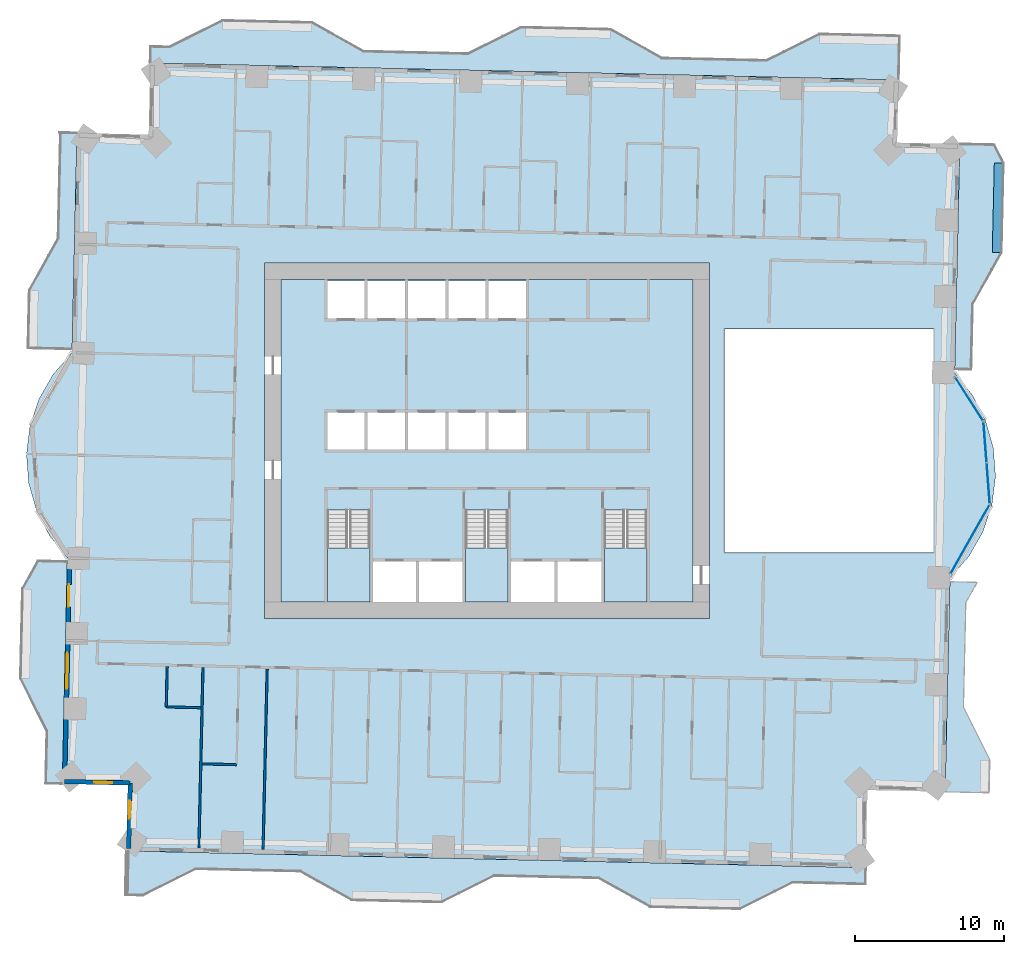
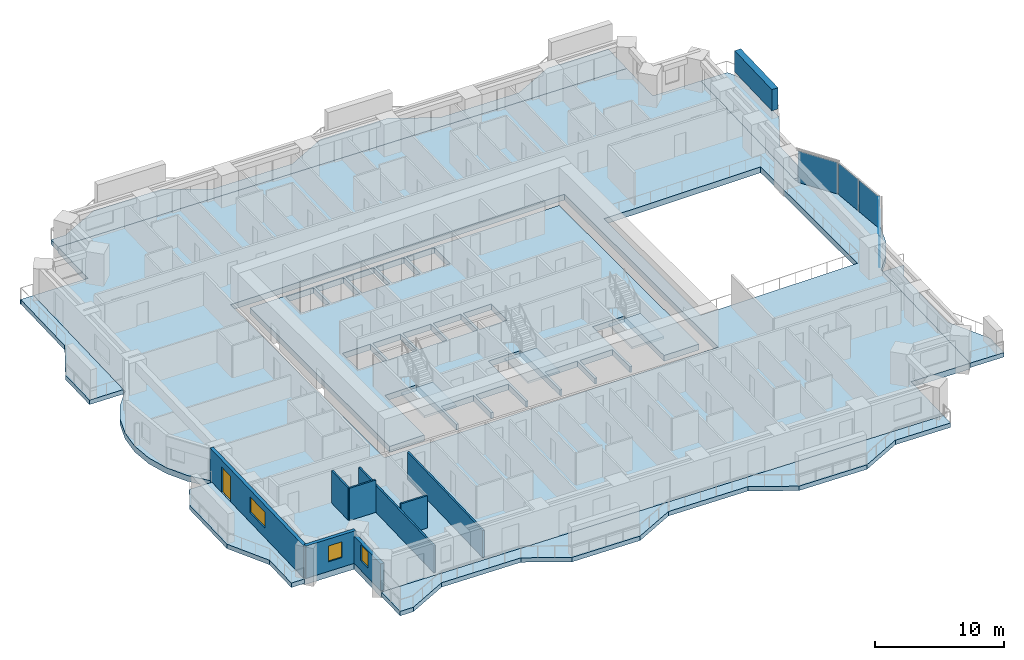
# One storey, part 6 of 18: 11 slabs, 8 walls, 4 plates, 3 windows, 1 door, 1 member, 4 openings, 6 elements without a shape of their own.
"""IFC4 building model written with IfcOpenShell, lengths in metres."""

from ifc_helpers import new_model, si_unit, direction, frame, frame_2d, origin, origin_2d, place, context, subcontext, project, spatial, polyline, rectangle, outline, extrude, material, layer, layer_set, material_profile, profile_set, type_object, element, fill, aggregate, save


model = new_model("IFC4")

# Units and contexts
model_context = context("Model", 3, precision=1e-05, world=origin(), true_north=direction((0.0, 1.0)))
body_context = subcontext(model_context, "Body", "Model", "MODEL_VIEW")
ifc_project = project(units=[si_unit("LENGTHUNIT", "METRE"), si_unit("AREAUNIT", "SQUARE_METRE"), si_unit("VOLUMEUNIT", "CUBIC_METRE"), si_unit("PLANEANGLEUNIT", "RADIAN"), si_unit("MASSUNIT", "GRAM", prefix="KILO")], contexts=[model_context])

# Site, building, storey
site_placement = place(None, origin())
site = spatial("IfcSite", under=ifc_project, at=site_placement, CompositionType="ELEMENT")
building_placement = place(site_placement, origin())
building = spatial("IfcBuilding", under=site, at=building_placement, Name="Mangrove Gate Tower", CompositionType="ELEMENT")
storey_placement = place(building_placement, frame((0.0, 0.0, 56.699951171875)))
storey = spatial("IfcBuildingStorey", under=building, at=storey_placement, Name="L13", CompositionType="ELEMENT", Elevation=56.699951171875)

# Member
ifc_material_1 = material(Name="Planting on aluminium trellis", Category="aluminium")
ifc_material_profile = material_profile(ifc_material_1, rectangle(XDim=0.550048828125, YDim=2.0, at=origin_2d()))
ifc_profile_set = profile_set([ifc_material_profile], Name="Planting on aluminium trellis")
member_type = type_object("IfcMemberType", Name="Balcony greenery screen 550x2000", PredefinedType="USERDEFINED", material=ifc_profile_set)
member_placement = place(storey_placement, frame((34.114990234375, 12.615966796875, 1.800048828125), z_axis=(0.022665943652, 0.999743094499, 0.0), x_axis=(-0.999743094499, 0.022665943652, 0.0)))
element("IfcMember", 1, at=member_placement, inside=storey, type_object=member_type, Name="GREEN SCREEN L13 E1.1", ObjectType="PLANTING", PredefinedType="USERDEFINED", context=body_context, shape_type="SweptSolid", body=[
    extrude(rectangle(XDim=0.550048828125, YDim=2.0, at=origin_2d()), origin(), (0.0, 0.0, 1.0), 5.99951171875),
])

# Curtain wall, plate
ifc_material_2 = material(Name="Aluminium and glass curtain wall", Category="aluminium")
curtain_wall_type = type_object("IfcCurtainWallType", Name="Atrium garden-court glazing wall", PredefinedType="NOTDEFINED", material=ifc_material_2)
curtain_wall_1_placement = place(storey_placement, origin())
curtain_wall_1 = element("IfcCurtainWall", 2, at=curtain_wall_1_placement, inside=storey, type_object=curtain_wall_type, Name="Atrium garden-court glazing E1f1", PredefinedType="NOTDEFINED")
ifc_material_3 = material(Name="Laminated low-e glass", Category="glass")
ifc_layer_1 = layer(ifc_material_3, 0.031982421875)
ifc_layer_set_1 = layer_set([ifc_layer_1], Name="Atrium garden-court glazing panel 32")
plate_type = type_object("IfcPlateType", Name="Atrium garden-court glazing panel 32", PredefinedType="CURTAIN_PANEL", material=ifc_layer_set_1)
plate_1_placement = place(storey_placement, frame((32.34912109375, -6.600830078125, 0.0), z_axis=(0.0, 0.0, 1.0), x_axis=(0.492603686489, 0.870253760726, 0.0)))
plate_1 = element("IfcPlate", 3, at=plate_1_placement, type_object=plate_type, Name="CWA panel 1.1", PredefinedType="CURTAIN_PANEL", context=body_context, shape_type="SweptSolid", body=[
    extrude(rectangle(XDim=5.258544921875, YDim=0.031982421875, at=origin_2d()), origin(), (0.0, 0.0, 1.0), 2.97998046875),
])
aggregate(curtain_wall_1, [plate_1])

# Curtain wall, plates
curtain_wall_2_placement = place(storey_placement, origin())
curtain_wall_2 = element("IfcCurtainWall", 4, at=curtain_wall_2_placement, inside=storey, type_object=curtain_wall_type, Name="Atrium garden-court glazing E1f2", PredefinedType="NOTDEFINED")
plate_2_placement = place(storey_placement, frame((33.5703125, -2.84521484375, 0.0), z_axis=(0.0, 0.0, 1.0), x_axis=(-0.077023348212, 0.997029289354, 0.0)))
plate_2 = element("IfcPlate", 5, at=plate_2_placement, type_object=plate_type, Name="CWA panel 1.1", PredefinedType="CURTAIN_PANEL", context=body_context, shape_type="SweptSolid", body=[
    extrude(rectangle(XDim=2.681640625, YDim=0.031982421875, at=origin_2d()), origin(), (0.0, 0.0, 1.0), 2.97998046875),
])
plate_3_placement = place(storey_placement, frame((33.3583984375, -0.1015625, 0.0), z_axis=(0.0, 0.0, 1.0), x_axis=(-0.077023348212, 0.997029289354, 0.0)))
plate_3 = element("IfcPlate", 6, at=plate_3_placement, type_object=plate_type, Name="CWA panel 2.1", PredefinedType="CURTAIN_PANEL", context=body_context, shape_type="SweptSolid", body=[
    extrude(rectangle(XDim=2.681640625, YDim=0.031982421875, at=origin_2d()), origin(), (0.0, 0.0, 1.0), 2.97998046875),
])
aggregate(curtain_wall_2, [plate_2, plate_3])

# Curtain wall, plate
curtain_wall_3_placement = place(storey_placement, origin())
curtain_wall_3 = element("IfcCurtainWall", 7, at=curtain_wall_3_placement, inside=storey, type_object=curtain_wall_type, Name="Atrium garden-court glazing E1f3", PredefinedType="NOTDEFINED")
plate_4_placement = place(storey_placement, frame((32.284912109375, 2.806396484375, 0.0), z_axis=(0.0, 0.0, 1.0), x_axis=(-0.540524576597, 0.841328224948, 0.0)))
plate_4 = element("IfcPlate", 8, at=plate_4_placement, type_object=plate_type, Name="CWA panel 1.1", PredefinedType="CURTAIN_PANEL", context=body_context, shape_type="SweptSolid", body=[
    extrude(rectangle(XDim=3.42919921875, YDim=0.031982421875, at=origin_2d()), origin(), (0.0, 0.0, 1.0), 2.97998046875),
])
aggregate(curtain_wall_3, [plate_4])

# Slabs
ifc_material_4 = material(Name="Porcelain tile")
ifc_layer_2 = layer(ifc_material_4, 0.02001953125, Name="Tile finish")
ifc_material_5 = material(Name="Cement sand screed")
ifc_layer_3 = layer(ifc_material_5, 0.0400390625, Name="Screed laid to falls")
ifc_material_6 = material(Name="Bituminous waterproofing membrane")
ifc_layer_4 = layer(ifc_material_6, 0.00390625, Name="Waterproofing")
ifc_material_7 = material(Name="Concrete C40/50", Category="concrete")
ifc_layer_5 = layer(ifc_material_7, 0.340087890625, Name="Balcony structural slab")
ifc_material_8 = material(Name="Limestone", Category="masonry")
ifc_layer_6 = layer(ifc_material_8, 0.01611328125, Name="Soffit lining")
ifc_layer_set_2 = layer_set([ifc_layer_2, ifc_layer_3, ifc_layer_4, ifc_layer_5, ifc_layer_6], Name="Balcony slab 420 C40/50")
slab_type_1 = type_object("IfcSlabType", Name="Balcony slab 420 C40/50", PredefinedType="FLOOR", material=ifc_layer_set_2)
slab_1_placement = place(storey_placement, frame((0.0, 0.0, -0.419921875)))
element("IfcSlab", 9, at=slab_1_placement, inside=storey, type_object=slab_type_1, Name="BALCONY L13 E0", PredefinedType="FLOOR", context=body_context, shape_type="SweptSolid", body=[
    extrude(outline(polyline([(33.6689453125, -23.5830078125), (33.718994140625, -21.384033203125), (31.947998046875, -17.843017578125), (32.10693359375, -10.843994140625), (32.864990234375, -9.487060546875), (30.9990234375, -9.444091796875), (30.968017578125, -10.819091796875), (30.80908203125, -17.81689453125), (30.72900390625, -21.31591796875), (30.678955078125, -23.514892578125), (33.6689453125, -23.5830078125)])), origin(), (0.0, 0.0, 1.0), 0.419921875),
])
slab_2_placement = place(storey_placement, frame((0.0, 0.0, -0.419921875)))
element("IfcSlab", 10, at=slab_2_placement, inside=storey, type_object=slab_type_1, Name="BALCONY L13 E1", PredefinedType="FLOOR", context=body_context, shape_type="SweptSolid", body=[
    extrude(outline(polyline([(32.4619140625, 4.777099609375), (32.56103515625, 9.14990234375), (34.489990234375, 12.60693359375), (34.6259765625, 18.60595703125), (34.01904296875, 19.820068359375), (31.6640625, 19.873046875), (31.636962890625, 18.674072265625), (31.5009765625, 12.675048828125), (31.4208984375, 9.176025390625), (31.322021484375, 4.802978515625), (32.4619140625, 4.777099609375)])), origin(), (0.0, 0.0, 1.0), 0.419921875),
])
slab_3_placement = place(storey_placement, frame((0.0, 0.0, -0.419921875)))
element("IfcSlab", 11, at=slab_3_placement, inside=storey, type_object=slab_type_1, Name="BALCONY L13 N0", PredefinedType="FLOOR", context=body_context, shape_type="SweptSolid", body=[
    extrude(outline(polyline([(27.6279296875, 27.156982421875), (22.261962890625, 27.279052734375), (18.720947265625, 25.509033203125), (11.721923828125, 25.6669921875), (8.264892578125, 27.595947265625), (2.56689453125, 27.72607421875), (2.26708984375, 27.73193359375), (-1.27392578125, 25.962890625), (-8.27197265625, 26.12109375), (-11.72998046875, 28.050048828125), (-17.72802734375, 28.18603515625), (-21.26904296875, 26.4169921875), (-22.537109375, 26.445068359375), (-22.56298828125, 25.304931640625), (2.4990234375, 24.736083984375), (11.697021484375, 24.528076171875), (27.56005859375, 24.16796875), (27.6279296875, 27.156982421875)])), origin(), (0.0, 0.0, 1.0), 0.419921875),
])
slab_4_placement = place(storey_placement, frame((0.0, 0.0, -0.419921875)))
element("IfcSlab", 12, at=slab_4_placement, inside=storey, type_object=slab_type_1, Name="BALCONY L13 W0", PredefinedType="FLOOR", context=body_context, shape_type="SweptSolid", body=[
    extrude(outline(polyline([(-28.6630859375, 20.64208984375), (-28.612060546875, 20.541015625), (-28.77099609375, 13.54296875), (-30.699951171875, 10.0859375), (-30.7880859375, 6.2119140625), (-27.799072265625, 6.14404296875), (-27.7109375, 10.01806640625), (-27.631103515625, 13.51708984375), (-27.472900390625, 20.514892578125), (-27.469970703125, 20.614990234375), (-28.6630859375, 20.64208984375)])), origin(), (0.0, 0.0, 1.0), 0.419921875),
])
slab_5_placement = place(storey_placement, frame((0.0, 0.0, -0.419921875)))
element("IfcSlab", 13, at=slab_5_placement, inside=storey, type_object=slab_type_1, Name="BALCONY L13 W1", PredefinedType="FLOOR", context=body_context, shape_type="SweptSolid", body=[
    extrude(outline(polyline([(-30.12109375, -8.056884765625), (-31.154052734375, -9.908935546875), (-31.2900390625, -15.906982421875), (-29.52001953125, -19.448974609375), (-29.59912109375, -22.947998046875), (-28.4599609375, -22.97412109375), (-28.3798828125, -19.47412109375), (-28.301025390625, -15.97509765625), (-28.1650390625, -9.97705078125), (-28.1220703125, -8.10302734375), (-30.12109375, -8.056884765625)])), origin(), (0.0, 0.0, 1.0), 0.419921875),
])
slab_6_placement = place(storey_placement, frame((0.0, 0.0, -0.419921875)))
element("IfcSlab", 14, at=slab_6_placement, inside=storey, type_object=slab_type_1, Name="BALCONY L13 S0", PredefinedType="FLOOR", context=body_context, shape_type="SweptSolid", body=[
    extrude(outline(polyline([(-24.22802734375, -30.4609375), (-23.06103515625, -30.488037109375), (-19.52001953125, -28.718017578125), (-12.52099609375, -28.876953125), (-9.06396484375, -30.805908203125), (-3.06591796875, -30.94189453125), (0.47509765625, -29.172119140625), (0.574951171875, -29.174072265625), (7.47412109375, -29.330078125), (10.930908203125, -31.259033203125), (16.928955078125, -31.39501953125), (20.469970703125, -29.6259765625), (25.3369140625, -29.736083984375), (25.363037109375, -28.595947265625), (-24.159912109375, -27.471923828125), (-24.22802734375, -30.4609375)])), origin(), (0.0, 0.0, 1.0), 0.419921875),
])
ifc_material_9 = material(Name="Concrete C40/50", Category="concrete")
ifc_layer_7 = layer(ifc_material_9, 0.550048828125)
ifc_layer_set_3 = layer_set([ifc_layer_7], Name="Core floor slab 550 C40/50")
slab_type_2 = type_object("IfcSlabType", Name="Core floor slab 550 C40/50", PredefinedType="FLOOR", material=ifc_layer_set_3)
slab_7_placement = place(storey_placement, frame((0.0, 0.0, -0.550048828125)))
element("IfcSlab", 15, at=slab_7_placement, inside=storey, type_object=slab_type_2, Name="SLAB-L13-CORE-1", PredefinedType="FLOOR", context=body_context, shape_type="SweptSolid", body=[
    extrude(outline(polyline([(-13.800048828125, -10.800048828125), (-13.800048828125, 10.800048828125), (13.800048828125, 10.800048828125), (13.800048828125, -10.800048828125), (10.699951171875, -10.800048828125), (10.699951171875, -4.653076171875), (7.85009765625, -4.653076171875), (7.85009765625, -10.800048828125), (7.64990234375, -10.800048828125), (7.64990234375, -8.10009765625), (4.72509765625, -8.10009765625), (4.72509765625, -10.800048828125), (4.52490234375, -10.800048828125), (4.52490234375, -8.10009765625), (1.60009765625, -8.10009765625), (1.60009765625, -10.800048828125), (1.39990234375, -10.800048828125), (1.39990234375, -4.653076171875), (-1.449951171875, -4.653076171875), (-1.449951171875, -10.800048828125), (-1.64990234375, -10.800048828125), (-1.64990234375, -8.10009765625), (-4.550048828125, -8.10009765625), (-4.550048828125, -10.800048828125), (-4.75, -10.800048828125), (-4.75, -8.10009765625), (-7.64990234375, -8.10009765625), (-7.64990234375, -10.800048828125), (-7.85009765625, -10.800048828125), (-7.85009765625, -4.653076171875), (-10.699951171875, -4.653076171875), (-10.699951171875, -10.800048828125), (-13.800048828125, -10.800048828125)]), holes=[polyline([(-8.199951171875, -0.60009765625), (-8.199951171875, 1.89990234375), (-10.699951171875, 1.89990234375), (-10.699951171875, -0.60009765625), (-8.199951171875, -0.60009765625)]), polyline([(-5.5, -0.60009765625), (-5.5, 1.89990234375), (-8.0, 1.89990234375), (-8.0, -0.60009765625), (-5.5, -0.60009765625)]), polyline([(-2.800048828125, -0.60009765625), (-2.800048828125, 1.89990234375), (-5.300048828125, 1.89990234375), (-5.300048828125, -0.60009765625), (-2.800048828125, -0.60009765625)]), polyline([(-8.199951171875, 8.199951171875), (-8.199951171875, 10.699951171875), (-10.699951171875, 10.699951171875), (-10.699951171875, 8.199951171875), (-8.199951171875, 8.199951171875)]), polyline([(-5.5, 8.199951171875), (-5.5, 10.699951171875), (-8.0, 10.699951171875), (-8.0, 8.199951171875), (-5.5, 8.199951171875)]), polyline([(-2.800048828125, 8.199951171875), (-2.800048828125, 10.699951171875), (-5.300048828125, 10.699951171875), (-5.300048828125, 8.199951171875), (-2.800048828125, 8.199951171875)]), polyline([(-0.10009765625, -0.60009765625), (-0.10009765625, 1.89990234375), (-2.60009765625, 1.89990234375), (-2.60009765625, -0.60009765625), (-0.10009765625, -0.60009765625)]), polyline([(2.60009765625, -0.60009765625), (2.60009765625, 1.89990234375), (0.10009765625, 1.89990234375), (0.10009765625, -0.60009765625), (2.60009765625, -0.60009765625)]), polyline([(-2.60009765625, 8.199951171875), (-0.10009765625, 8.199951171875), (-0.10009765625, 10.699951171875), (-2.60009765625, 10.699951171875), (-2.60009765625, 8.199951171875)]), polyline([(0.10009765625, 8.199951171875), (2.60009765625, 8.199951171875), (2.60009765625, 10.699951171875), (0.10009765625, 10.699951171875), (0.10009765625, 8.199951171875)])]), origin(), (0.0, 0.0, 1.0), 0.550048828125),
])

# Stair, slab
ifc_material_10 = material(Name="Concrete C40/50", Category="concrete")
stair_type = type_object("IfcStairType", Name="Core stair 1350", PredefinedType="HALF_TURN_STAIR", material=ifc_material_10)
stair_1_placement = place(storey_placement, origin())
stair_1 = element("IfcStair", 16, at=stair_1_placement, inside=storey, type_object=stair_type, Name="L13 Stair 1", PredefinedType="HALF_TURN_STAIR")
ifc_material_11 = material(Name="Concrete C40/50", Category="concrete")
ifc_layer_8 = layer(ifc_material_11, 0.199951171875)
ifc_layer_set_4 = layer_set([ifc_layer_8], Name="Core stair landing 200")
slab_type_3 = type_object("IfcSlabType", Name="Core stair landing 200", PredefinedType="LANDING", material=ifc_layer_set_4)
slab_8_placement = place(storey_placement, frame((0.0, 0.0, 1.60009765625)))
slab_8 = element("IfcSlab", 17, at=slab_8_placement, type_object=slab_type_3, Name="ST1 landing 1", PredefinedType="LANDING", context=body_context, shape_type="SweptSolid", body=[
    extrude(outline(polyline([(-10.699951171875, -7.169921875), (-10.699951171875, -10.800048828125), (-7.85009765625, -10.800048828125), (-7.85009765625, -7.169921875), (-10.699951171875, -7.169921875)])), origin(), (0.0, 0.0, 1.0), 0.199951171875),
])
aggregate(stair_1, [slab_8])

stair_2_placement = place(storey_placement, origin())
stair_2 = element("IfcStair", 18, at=stair_2_placement, inside=storey, type_object=stair_type, Name="L13 Stair 2", PredefinedType="HALF_TURN_STAIR")
slab_9_placement = place(storey_placement, frame((0.0, 0.0, 1.60009765625)))
slab_9 = element("IfcSlab", 19, at=slab_9_placement, type_object=slab_type_3, Name="ST2 landing 1", PredefinedType="LANDING", context=body_context, shape_type="SweptSolid", body=[
    extrude(outline(polyline([(-1.449951171875, -7.169921875), (-1.449951171875, -10.800048828125), (1.39990234375, -10.800048828125), (1.39990234375, -7.169921875), (-1.449951171875, -7.169921875)])), origin(), (0.0, 0.0, 1.0), 0.199951171875),
])
aggregate(stair_2, [slab_9])

stair_3_placement = place(storey_placement, origin())
stair_3 = element("IfcStair", 20, at=stair_3_placement, inside=storey, type_object=stair_type, Name="L13 Stair 3", PredefinedType="HALF_TURN_STAIR")
slab_10_placement = place(storey_placement, frame((0.0, 0.0, 1.60009765625)))
slab_10 = element("IfcSlab", 21, at=slab_10_placement, type_object=slab_type_3, Name="ST3 landing 1", PredefinedType="LANDING", context=body_context, shape_type="SweptSolid", body=[
    extrude(outline(polyline([(7.85009765625, -7.169921875), (7.85009765625, -10.800048828125), (10.699951171875, -10.800048828125), (10.699951171875, -7.169921875), (7.85009765625, -7.169921875)])), origin(), (0.0, 0.0, 1.0), 0.199951171875),
])
aggregate(stair_3, [slab_10])

# Slab
ifc_material_12 = material(Name="Concrete C40/50", Category="concrete")
ifc_layer_9 = layer(ifc_material_12, 0.550048828125)
ifc_layer_set_5 = layer_set([ifc_layer_9], Name="Floor slab 550 C40/50")
slab_type_4 = type_object("IfcSlabType", Name="Floor slab 550 C40/50", PredefinedType="FLOOR", material=ifc_layer_set_5)
slab_11_placement = place(storey_placement, frame((0.0, 0.0, -0.550048828125)))
element("IfcSlab", 22, at=slab_11_placement, inside=storey, type_object=slab_type_4, Name="Floor slab L13", PredefinedType="FLOOR", context=body_context, shape_type="SweptSolid", body=[
    extrude(outline(polyline([(-24.160400390625, -27.47216796875), (25.36279296875, -28.595947265625), (25.480712890625, -23.3974609375), (30.679443359375, -23.515380859375), (31.00439453125, -9.1943359375), (32.267333984375, -7.7578125), (33.220458984375, -6.099365234375), (33.825927734375, -4.28515625), (34.0595703125, -2.38671875), (33.912353515625, -0.4794921875), (33.389892578125, 1.360595703125), (32.512939453125, 3.060302734375), (31.31640625, 4.552734375), (31.6640625, 19.87353515625), (27.465087890625, 19.96875), (27.560302734375, 24.167724609375), (-22.562744140625, 25.30517578125), (-22.671630859375, 20.50634765625), (-27.470458984375, 20.615234375), (-27.804443359375, 5.894287109375), (-29.0673828125, 4.457763671875), (-30.0205078125, 2.799560546875), (-30.6259765625, 0.985107421875), (-30.859619140625, -0.913330078125), (-30.71240234375, -2.820556640625), (-30.18994140625, -4.660400390625), (-29.31298828125, -6.3603515625), (-28.116455078125, -7.852783203125), (-28.45947265625, -22.9736328125), (-24.060546875, -23.0732421875), (-24.160400390625, -27.47216796875)]), holes=[polyline([(15.89990234375, 7.5), (29.889892578125, 7.5), (29.889892578125, -7.5), (15.89990234375, -7.5), (15.89990234375, 7.5)]), polyline([(-14.89990234375, -11.89990234375), (-14.89990234375, 11.89990234375), (14.89990234375, 11.89990234375), (14.89990234375, -11.89990234375), (-14.89990234375, -11.89990234375)])]), origin(), (0.0, 0.0, 1.0), 0.550048828125),
])

# Wall, openings, door, window
ifc_layer_10 = layer(ifc_material_8, 0.0400390625, Name="Limestone cladding")
ifc_material_13 = material(Name="Ventilated air gap")
ifc_layer_11 = layer(ifc_material_13, 0.0400390625, Name="Ventilated cavity")
ifc_material_14 = material(Name="Mineral wool insulation")
ifc_layer_12 = layer(ifc_material_14, 0.06005859375, Name="Insulation")
ifc_material_15 = material(Name="Breather membrane")
ifc_layer_13 = layer(ifc_material_15, 0.001953125, Name="Breather membrane")
ifc_material_16 = material(Name="Concrete C20/25 blockwork", Category="masonry")
ifc_layer_14 = layer(ifc_material_16, 0.14990234375, Name="Blockwork backing wall")
ifc_material_17 = material(Name="Gypsum plaster")
ifc_layer_15 = layer(ifc_material_17, 0.008056640625, Name="Internal plaster")
ifc_layer_set_6 = layer_set([ifc_layer_10, ifc_layer_11, ifc_layer_12, ifc_layer_13, ifc_layer_14, ifc_layer_15], Name="External wall 300 limestone cladding")
wall_type_1 = type_object("IfcWallType", Name="External wall 300 limestone cladding", PredefinedType="SOLIDWALL", material=ifc_layer_set_6)
wall_1_placement = place(storey_placement, frame((-27.965087890625, -7.802001953125, 0.0), z_axis=(0.0, 0.0, 1.0), x_axis=(-0.02267786199, -0.999742824218, 0.0)))
wall_1 = element("IfcWall", 23, at=wall_1_placement, inside=storey, type_object=wall_type_1, Name="WALL-L13-W10", PredefinedType="SOLIDWALL", context=body_context, shape_type="SweptSolid", body=[
    extrude(rectangle(XDim=15.02880859375, YDim=0.300048828125, at=frame_2d((7.514404296875, 0.0))), origin(), (0.0, 0.0, 1.0), 3.050048828125),
])
opening_1_placement = place(wall_1_placement, frame((1.825927734375, 0.0, 0.0)))
opening_1 = element("IfcOpeningElement", 24, at=opening_1_placement, cuts=wall_1, Name="Opening BD1", PredefinedType="OPENING", context=body_context, shape_type="SweptSolid", body=[
    extrude(rectangle(XDim=1.5, YDim=2.39990234375, at=frame_2d((0.75, 1.199951171875))), frame((0.0, 0.159912109375, 0.0), z_axis=(0.0, -1.0, 0.0), x_axis=(1.0, 0.0, 0.0)), (0.0, 0.0, 1.0), 0.320068359375),
])
opening_2_placement = place(wall_1_placement, frame((6.4169921875, 0.0, 0.89990234375)))
opening_2 = element("IfcOpeningElement", 25, at=opening_2_placement, cuts=wall_1, Name="Opening W2", PredefinedType="OPENING", context=body_context, shape_type="SweptSolid", body=[
    extrude(rectangle(XDim=2.39990234375, YDim=1.5, at=frame_2d((1.199951171875, 0.75))), frame((0.0, 0.159912109375, 0.0), z_axis=(0.0, -1.0, 0.0), x_axis=(1.0, 0.0, 0.0)), (0.0, 0.0, 1.0), 0.320068359375),
])
ifc_material_18 = material(Name="Aluminium frame with laminated clear glass", Category="aluminium")
door_type = type_object("IfcDoorType", Name="Balcony sliding door 1500x2400", OperationType="SLIDING_TO_LEFT", PredefinedType="DOOR", material=ifc_material_18)
door_placement = place(opening_1_placement, origin())
door = element("IfcDoor", 26, at=door_placement, inside=storey, type_object=door_type, Name="DOOR-L13-W10-1", OperationType="SLIDING_TO_LEFT", OverallHeight=2.39990234375, OverallWidth=1.5, PredefinedType="DOOR", context=body_context, shape_type="SweptSolid", body=[
    extrude(rectangle(XDim=1.5, YDim=2.39990234375, at=frame_2d((0.75, 1.199951171875))), frame((0.0, 0.02490234375, 0.0), z_axis=(0.0, -1.0, 0.0), x_axis=(1.0, 0.0, 0.0)), (0.0, 0.0, 1.0), 0.050048828125),
])
fill(opening_1, door)
ifc_material_19 = material(Name="Aluminium frame with double-glazed low-e glass", Category="aluminium")
window_type_1 = type_object("IfcWindowType", Name="Corner room window 2400x1500", PartitioningType="DOUBLE_PANEL_VERTICAL", PredefinedType="WINDOW", material=ifc_material_19)
window_1_placement = place(opening_2_placement, origin())
window_1 = element("IfcWindow", 27, at=window_1_placement, inside=storey, type_object=window_type_1, Name="WIN-L13-W10-2", OverallHeight=1.5, OverallWidth=2.39990234375, PartitioningType="DOUBLE_PANEL_VERTICAL", PredefinedType="WINDOW", context=body_context, shape_type="SweptSolid", body=[
    extrude(rectangle(XDim=2.39990234375, YDim=1.5, at=frame_2d((1.199951171875, 0.75))), frame((0.0, 0.030029296875, 0.0), z_axis=(0.0, -1.0, 0.0), x_axis=(1.0, 0.0, 0.0)), (0.0, 0.0, 1.0), 0.06005859375),
])
fill(opening_2, window_1)

# Wall, opening, window
wall_2_placement = place(storey_placement, frame((-28.305908203125, -22.826904296875, 0.0), z_axis=(0.0, 0.0, 1.0), x_axis=(0.999741204967, -0.022749133868, 0.0)))
wall_2 = element("IfcWall", 28, at=wall_2_placement, inside=storey, type_object=wall_type_1, Name="WALL-L13-S11", PredefinedType="SOLIDWALL", context=body_context, shape_type="SweptSolid", body=[
    extrude(rectangle(XDim=4.400146484375, YDim=0.300048828125, at=frame_2d((2.2001953125, 0.0))), origin(), (0.0, 0.0, 1.0), 3.050048828125),
])
opening_3_placement = place(wall_2_placement, frame((1.99609375, 0.0, 0.89990234375)))
opening_3 = element("IfcOpeningElement", 29, at=opening_3_placement, cuts=wall_2, Name="Opening W1", PredefinedType="OPENING", context=body_context, shape_type="SweptSolid", body=[
    extrude(rectangle(XDim=1.199951171875, YDim=1.5, at=frame_2d((0.60009765625, 0.75))), frame((0.0, 0.159912109375, 0.0), z_axis=(0.0, -1.0, 0.0), x_axis=(1.0, 0.0, 0.0)), (0.0, 0.0, 1.0), 0.320068359375),
])
ifc_material_20 = material(Name="Aluminium frame with double-glazed low-e glass", Category="aluminium")
window_type_2 = type_object("IfcWindowType", Name="Side lite 1200x1500", PartitioningType="SINGLE_PANEL", PredefinedType="WINDOW", material=ifc_material_20)
window_2_placement = place(opening_3_placement, origin())
window_2 = element("IfcWindow", 30, at=window_2_placement, inside=storey, type_object=window_type_2, Name="WIN-L13-S11-1", OverallHeight=1.5, OverallWidth=1.199951171875, PartitioningType="SINGLE_PANEL", PredefinedType="WINDOW", context=body_context, shape_type="SweptSolid", body=[
    extrude(rectangle(XDim=1.199951171875, YDim=1.5, at=frame_2d((0.60009765625, 0.75))), frame((0.0, 0.030029296875, 0.0), z_axis=(0.0, -1.0, 0.0), x_axis=(1.0, 0.0, 0.0)), (0.0, 0.0, 1.0), 0.06005859375),
])
fill(opening_3, window_2)

wall_3_placement = place(storey_placement, frame((-23.906982421875, -22.927001953125, 0.0), z_axis=(0.0, 0.0, 1.0), x_axis=(-0.022749133868, -0.999741204967, 0.0)))
wall_3 = element("IfcWall", 31, at=wall_3_placement, inside=storey, type_object=wall_type_1, Name="WALL-L13-W12", PredefinedType="SOLIDWALL", context=body_context, shape_type="SweptSolid", body=[
    extrude(rectangle(XDim=4.400146484375, YDim=0.300048828125, at=frame_2d((2.2001953125, 0.0))), origin(), (0.0, 0.0, 1.0), 2.550048828125),
])
opening_4_placement = place(wall_3_placement, frame((1.179931640625, 0.0, 0.89990234375)))
opening_4 = element("IfcOpeningElement", 32, at=opening_4_placement, cuts=wall_3, Name="Opening W1", PredefinedType="OPENING", context=body_context, shape_type="SweptSolid", body=[
    extrude(rectangle(XDim=1.199951171875, YDim=1.5, at=frame_2d((0.60009765625, 0.75))), frame((0.0, 0.159912109375, 0.0), z_axis=(0.0, -1.0, 0.0), x_axis=(1.0, 0.0, 0.0)), (0.0, 0.0, 1.0), 0.320068359375),
])
window_3_placement = place(opening_4_placement, origin())
window_3 = element("IfcWindow", 33, at=window_3_placement, inside=storey, type_object=window_type_2, Name="WIN-L13-W12-1", OverallHeight=1.5, OverallWidth=1.199951171875, PartitioningType="SINGLE_PANEL", PredefinedType="WINDOW", context=body_context, shape_type="SweptSolid", body=[
    extrude(rectangle(XDim=1.199951171875, YDim=1.5, at=frame_2d((0.60009765625, 0.75))), frame((0.0, 0.030029296875, 0.0), z_axis=(0.0, -1.0, 0.0), x_axis=(1.0, 0.0, 0.0)), (0.0, 0.0, 1.0), 0.06005859375),
])
fill(opening_4, window_3)

# Walls
ifc_material_21 = material(Name="Gypsum board on steel stud, EI 60", Category="steel")
ifc_layer_16 = layer(ifc_material_21, 0.14990234375)
ifc_layer_set_7 = layer_set([ifc_layer_16], Name="Party wall 150 EI 60")
wall_type_2 = type_object("IfcWallType", Name="Party wall 150 EI 60", PredefinedType="PARTITIONING", material=ifc_layer_set_7)
wall_4_placement = place(storey_placement, frame((-19.306884765625, -27.282958984375, 0.0), z_axis=(0.0, 0.0, 1.0), x_axis=(0.022717280737, 0.999741929278, 0.0)))
element("IfcWall", 34, at=wall_4_placement, inside=storey, type_object=wall_type_2, Name="WALL-L13-001", PredefinedType="PARTITIONING", context=body_context, shape_type="SweptSolid", body=[
    extrude(rectangle(XDim=12.10107421875, YDim=0.14990234375, at=frame_2d((6.050537109375, 0.0))), origin(), (0.0, 0.0, 1.0), 2.550048828125),
])
wall_5_placement = place(storey_placement, frame((-15.008056640625, -27.3798828125, 0.0), z_axis=(0.0, 0.0, 1.0), x_axis=(0.02273928012, 0.99974142914, 0.0)))
element("IfcWall", 35, at=wall_5_placement, inside=storey, type_object=wall_type_2, Name="WALL-L13-002", PredefinedType="PARTITIONING", context=body_context, shape_type="SweptSolid", body=[
    extrude(rectangle(XDim=12.10009765625, YDim=0.14990234375, at=frame_2d((6.050048828125, 0.0))), origin(), (0.0, 0.0, 1.0), 2.550048828125),
])
wall_6_placement = place(storey_placement, frame((-19.10205078125, -21.64501953125, 0.0), z_axis=(0.0, 0.0, 1.0), x_axis=(0.999740260747, -0.02279059109, 0.0)))
element("IfcWall", 36, at=wall_6_placement, inside=storey, type_object=wall_type_2, Name="WALL-L13-025", PredefinedType="PARTITIONING", context=body_context, shape_type="SweptSolid", body=[
    extrude(rectangle(XDim=2.324462890625, YDim=0.14990234375, at=frame_2d((1.162109375, 0.0))), origin(), (0.0, 0.0, 1.0), 3.050048828125),
])
wall_7_placement = place(storey_placement, frame((-21.492919921875, -17.830078125, 0.0), z_axis=(0.0, 0.0, 1.0), x_axis=(0.02260842146, 0.999744396973, 0.0)))
element("IfcWall", 37, at=wall_7_placement, inside=storey, type_object=wall_type_2, Name="WALL-L13-029", PredefinedType="PARTITIONING", context=body_context, shape_type="SweptSolid", body=[
    extrude(rectangle(XDim=2.69970703125, YDim=0.14990234375, at=frame_2d((1.349853515625, 0.0))), origin(), (0.0, 0.0, 1.0), 3.050048828125),
])
wall_8_placement = place(storey_placement, frame((-21.490966796875, -17.830078125, 0.0), z_axis=(0.0, 0.0, 1.0), x_axis=(0.999740260747, -0.02279059109, 0.0)))
element("IfcWall", 38, at=wall_8_placement, inside=storey, type_object=wall_type_2, Name="WALL-L13-030", PredefinedType="PARTITIONING", context=body_context, shape_type="SweptSolid", body=[
    extrude(rectangle(XDim=2.324462890625, YDim=0.14990234375, at=frame_2d((1.162109375, 0.0))), origin(), (0.0, 0.0, 1.0), 3.050048828125),
])

save(model, "model.ifc")
